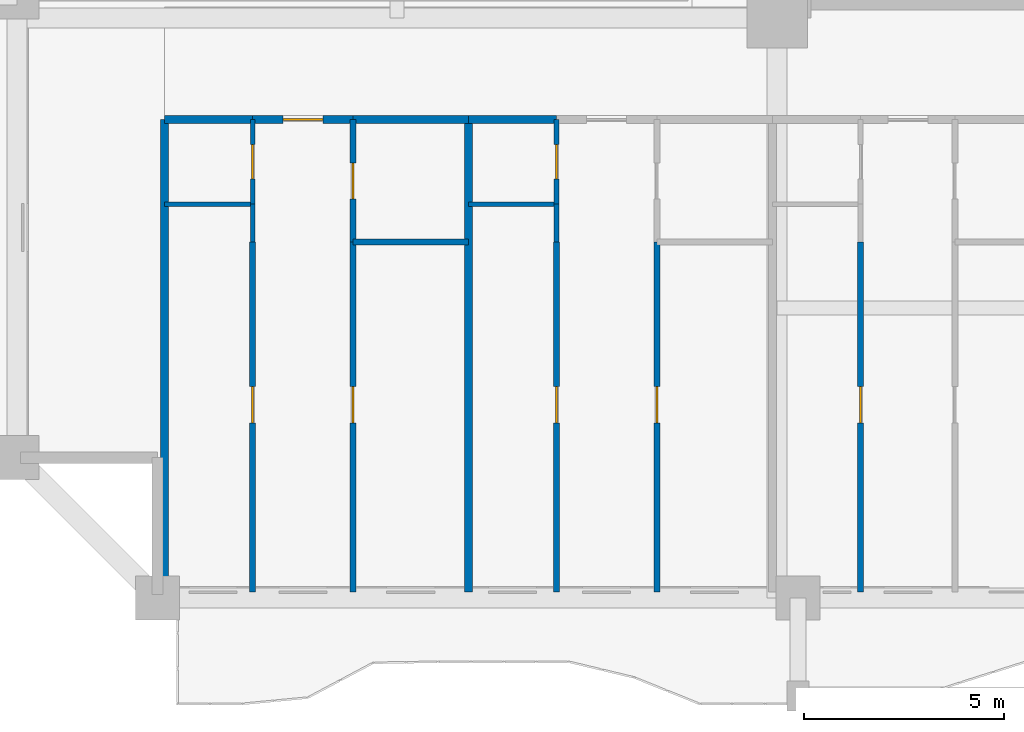
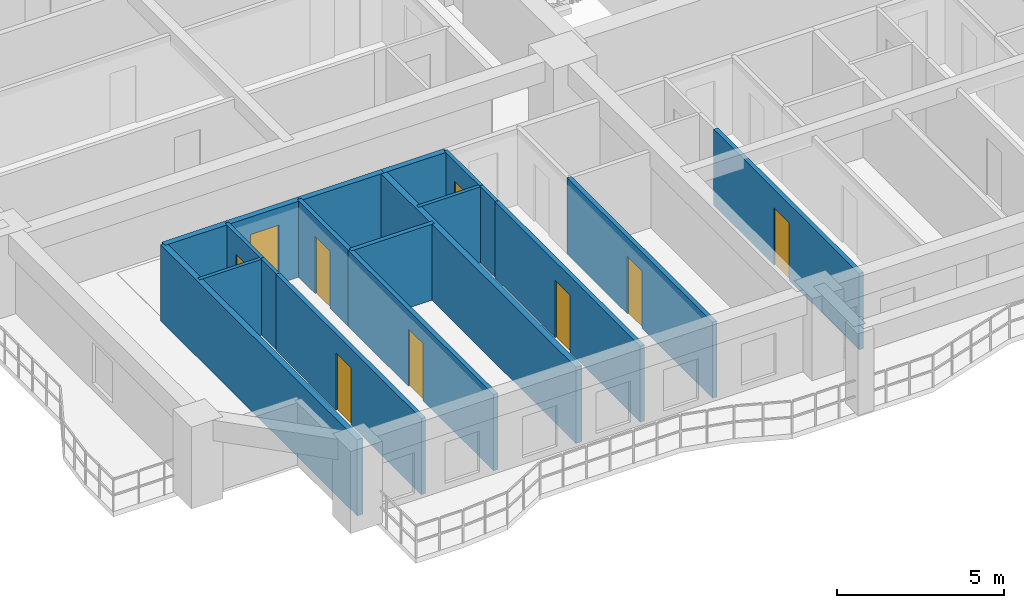
# One storey, part 2 of 17: 19 walls, 9 doors, 9 openings.
"""IFC4 building model written with IfcOpenShell, lengths in metres."""

from ifc_helpers import new_model, si_unit, direction, frame, frame_2d, origin, place, context, subcontext, project, spatial, rectangle, extrude, source, transform, mapped, material, layer, layer_set, type_object, element, fill, save


model = new_model("IFC4")

# Units and contexts
model_context = context("Model", 3, precision=1e-05, world=origin(), true_north=direction((0.0, 1.0)))
body_context = subcontext(model_context, "Body", "Model", "MODEL_VIEW")
ifc_project = project(units=[si_unit("LENGTHUNIT", "METRE"), si_unit("AREAUNIT", "SQUARE_METRE"), si_unit("VOLUMEUNIT", "CUBIC_METRE"), si_unit("PLANEANGLEUNIT", "RADIAN"), si_unit("MASSUNIT", "GRAM", prefix="KILO")], contexts=[model_context])

# Site, building, storey
site_placement = place(None, origin())
site = spatial("IfcSite", under=ifc_project, at=site_placement, CompositionType="ELEMENT")
building_placement = place(site_placement, origin())
building = spatial("IfcBuilding", under=site, at=building_placement, Name="Saelheon Loggia Tower", CompositionType="ELEMENT")
storey_placement = place(building_placement, frame((0.0, 0.0, 22.39990234375)))
storey = spatial("IfcBuildingStorey", under=building, at=storey_placement, Name="L06", CompositionType="ELEMENT", Elevation=22.39990234375)

# Wall
ifc_material_1 = material(Name="Lightweight Autoclaved Aerated Concrete Block and Acoustic Gypsum", Category="concrete")
ifc_layer_1 = layer(ifc_material_1, 0.14990234375)
ifc_layer_set_1 = layer_set([ifc_layer_1], Name="Lightweight Autoclaved Aerated Concrete Block and Acoustic Gypsum")
wall_type_1 = type_object("IfcWallType", Name="Wall_Part_150", PredefinedType="PARTITIONING", material=ifc_layer_set_1)
wall_1_placement = place(storey_placement, frame((20.385009765625, 11.8798828125, 0.0), z_axis=(0.0, 0.0, 1.0), x_axis=(1.0, 0.0, 0.0)))
element("IfcWall", 1, at=wall_1_placement, inside=storey, type_object=wall_type_1, Name="L06 S Partition V07", PredefinedType="PARTITIONING", context=body_context, shape_type="SweptSolid", body=[
    extrude(rectangle(XDim=2.8837890625, YDim=0.14990234375, at=frame_2d((1.44189453125, 0.0))), origin(), (0.0, 0.0, 1.0), 2.7900390625),
])

# Wall, opening, door
wall_2_placement = place(storey_placement, frame((17.8798828125, 11.8798828125, 0.0), z_axis=(0.0, 0.0, 1.0), x_axis=(0.0, -1.0, 0.0)))
wall_2 = element("IfcWall", 2, at=wall_2_placement, inside=storey, type_object=wall_type_1, Name="L06 S Partition U10", PredefinedType="PARTITIONING", context=body_context, shape_type="SweptSolid", body=[
    extrude(rectangle(XDim=8.72998046875, YDim=0.14990234375, at=frame_2d((4.364990234375, 0.0))), origin(), (0.0, 0.0, 1.0), 2.7900390625),
])
opening_1_placement = place(wall_2_placement, frame((3.608642578125, 0.0, 0.0)))
opening_1 = element("IfcOpeningElement", 3, at=opening_1_placement, cuts=wall_2, Name="Opening D-IN2", PredefinedType="OPENING", context=body_context, shape_type="SweptSolid", body=[
    extrude(rectangle(XDim=0.89990234375, YDim=2.10009765625, at=frame_2d((0.449951171875, 1.050048828125))), frame((0.0, 0.0869140625, 0.0), z_axis=(0.0, -1.0, 0.0), x_axis=(1.0, 0.0, 0.0)), (0.0, 0.0, 1.0), 0.173828125),
])
ifc_material_2 = material(Name="Engineered Oak Flush Door", Category="timber")
door_type_1 = type_object("IfcDoorType", Name="Door_Int_900", OperationType="NOTDEFINED", PredefinedType="DOOR", material=ifc_material_2)
shared_shape_1 = source(origin(), body_context, "Body", "SweptSolid", [
    extrude(rectangle(XDim=0.89990234375, YDim=2.10009765625, at=frame_2d((0.449951171875, 1.050048828125))), frame((0.0, 0.02490234375, 0.0), z_axis=(0.0, -1.0, 0.0), x_axis=(1.0, 0.0, 0.0)), (0.0, 0.0, 1.0), 0.050048828125),
])
door_1_placement = place(opening_1_placement, origin())
door_1 = element("IfcDoor", 4, at=door_1_placement, inside=storey, type_object=door_type_1, Name="Unit U01 Kitchen Door", OperationType="SINGLE_SWING_LEFT", OverallHeight=2.10009765625, OverallWidth=0.89990234375, PredefinedType="DOOR", context=body_context, shape_type="MappedRepresentation", body=[
    mapped(shared_shape_1, transform((0.0, 0.0, 0.0), scale=1.0)),
])
fill(opening_1, door_1)

wall_3_placement = place(storey_placement, frame((20.385009765625, 14.949951171875, 0.0), z_axis=(0.0, 0.0, 1.0), x_axis=(0.0, -1.0, 0.0)))
wall_3 = element("IfcWall", 5, at=wall_3_placement, inside=storey, type_object=wall_type_1, Name="L06 S Partition U11", PredefinedType="PARTITIONING", context=body_context, shape_type="SweptSolid", body=[
    extrude(rectangle(XDim=3.070068359375, YDim=0.14990234375, at=frame_2d((1.53515625, 0.0))), origin(), (0.0, 0.0, 1.0), 2.7900390625),
])
opening_2_placement = place(wall_3_placement, frame((1.0849609375, 0.0, 0.0)))
opening_2 = element("IfcOpeningElement", 6, at=opening_2_placement, cuts=wall_3, Name="Opening D-IN2", PredefinedType="OPENING", context=body_context, shape_type="SweptSolid", body=[
    extrude(rectangle(XDim=0.89990234375, YDim=2.10009765625, at=frame_2d((0.449951171875, 1.050048828125))), frame((0.0, 0.0869140625, 0.0), z_axis=(0.0, -1.0, 0.0), x_axis=(1.0, 0.0, 0.0)), (0.0, 0.0, 1.0), 0.173828125),
])
door_2_placement = place(opening_2_placement, origin())
door_2 = element("IfcDoor", 7, at=door_2_placement, inside=storey, type_object=door_type_1, Name="Unit U01 Dressing Closet Door", OperationType="SINGLE_SWING_RIGHT", OverallHeight=2.10009765625, OverallWidth=0.89990234375, PredefinedType="DOOR", context=body_context, shape_type="MappedRepresentation", body=[
    mapped(shared_shape_1, transform((0.0, 0.0, 0.0), scale=1.0)),
])
fill(opening_2, door_2)

wall_4_placement = place(storey_placement, frame((20.385009765625, 11.8798828125, 0.0), z_axis=(0.0, 0.0, 1.0), x_axis=(0.0, -1.0, 0.0)))
wall_4 = element("IfcWall", 8, at=wall_4_placement, inside=storey, type_object=wall_type_1, Name="L06 S Partition U12", PredefinedType="PARTITIONING", context=body_context, shape_type="SweptSolid", body=[
    extrude(rectangle(XDim=8.72998046875, YDim=0.14990234375, at=frame_2d((4.364990234375, 0.0))), origin(), (0.0, 0.0, 1.0), 2.7900390625),
])
opening_3_placement = place(wall_4_placement, frame((3.608642578125, 0.0, 0.0)))
opening_3 = element("IfcOpeningElement", 9, at=opening_3_placement, cuts=wall_4, Name="Opening D-IN2", PredefinedType="OPENING", context=body_context, shape_type="SweptSolid", body=[
    extrude(rectangle(XDim=0.89990234375, YDim=2.10009765625, at=frame_2d((0.449951171875, 1.050048828125))), frame((0.0, 0.0869140625, 0.0), z_axis=(0.0, -1.0, 0.0), x_axis=(1.0, 0.0, 0.0)), (0.0, 0.0, 1.0), 0.173828125),
])
door_3_placement = place(opening_3_placement, origin())
door_3 = element("IfcDoor", 10, at=door_3_placement, inside=storey, type_object=door_type_1, Name="Unit U01 Bedroom 1 Door", OperationType="SINGLE_SWING_LEFT", OverallHeight=2.10009765625, OverallWidth=0.89990234375, PredefinedType="DOOR", context=body_context, shape_type="MappedRepresentation", body=[
    mapped(shared_shape_1, transform((0.0, 0.0, 0.0), scale=1.0)),
])
fill(opening_3, door_3)

wall_5_placement = place(storey_placement, frame((25.46875, 11.8798828125, 0.0), z_axis=(0.0, 0.0, 1.0), x_axis=(0.0, -1.0, 0.0)))
wall_5 = element("IfcWall", 11, at=wall_5_placement, inside=storey, type_object=wall_type_1, Name="L06 S Partition U21", PredefinedType="PARTITIONING", context=body_context, shape_type="SweptSolid", body=[
    extrude(rectangle(XDim=8.72998046875, YDim=0.14990234375, at=frame_2d((4.364990234375, 0.0))), origin(), (0.0, 0.0, 1.0), 2.7900390625),
])
opening_4_placement = place(wall_5_placement, frame((3.608642578125, 0.0, 0.0)))
opening_4 = element("IfcOpeningElement", 12, at=opening_4_placement, cuts=wall_5, Name="Opening D-IN2", PredefinedType="OPENING", context=body_context, shape_type="SweptSolid", body=[
    extrude(rectangle(XDim=0.89990234375, YDim=2.10009765625, at=frame_2d((0.449951171875, 1.050048828125))), frame((0.0, 0.0869140625, 0.0), z_axis=(0.0, -1.0, 0.0), x_axis=(1.0, 0.0, 0.0)), (0.0, 0.0, 1.0), 0.173828125),
])
door_4_placement = place(opening_4_placement, origin())
door_4 = element("IfcDoor", 13, at=door_4_placement, inside=storey, type_object=door_type_1, Name="Unit U02 Kitchen Door", OperationType="SINGLE_SWING_RIGHT", OverallHeight=2.10009765625, OverallWidth=0.89990234375, PredefinedType="DOOR", context=body_context, shape_type="MappedRepresentation", body=[
    mapped(shared_shape_1, transform((0.0, 0.0, 0.0), scale=1.0)),
])
fill(opening_4, door_4)

wall_6_placement = place(storey_placement, frame((27.973876953125, 11.8798828125, 0.0), z_axis=(0.0, 0.0, 1.0), x_axis=(0.0, -1.0, 0.0)))
wall_6 = element("IfcWall", 14, at=wall_6_placement, inside=storey, type_object=wall_type_1, Name="L06 S Partition U23", PredefinedType="PARTITIONING", context=body_context, shape_type="SweptSolid", body=[
    extrude(rectangle(XDim=8.72998046875, YDim=0.14990234375, at=frame_2d((4.364990234375, 0.0))), origin(), (0.0, 0.0, 1.0), 2.7900390625),
])
opening_5_placement = place(wall_6_placement, frame((3.608642578125, 0.0, 0.0)))
opening_5 = element("IfcOpeningElement", 15, at=opening_5_placement, cuts=wall_6, Name="Opening D-IN2", PredefinedType="OPENING", context=body_context, shape_type="SweptSolid", body=[
    extrude(rectangle(XDim=0.89990234375, YDim=2.10009765625, at=frame_2d((0.449951171875, 1.050048828125))), frame((0.0, 0.0869140625, 0.0), z_axis=(0.0, -1.0, 0.0), x_axis=(1.0, 0.0, 0.0)), (0.0, 0.0, 1.0), 0.173828125),
])
door_5_placement = place(opening_5_placement, origin())
door_5 = element("IfcDoor", 16, at=door_5_placement, inside=storey, type_object=door_type_1, Name="Unit U02 Bedroom 1 Door", OperationType="SINGLE_SWING_RIGHT", OverallHeight=2.10009765625, OverallWidth=0.89990234375, PredefinedType="DOOR", context=body_context, shape_type="MappedRepresentation", body=[
    mapped(shared_shape_1, transform((0.0, 0.0, 0.0), scale=1.0)),
])
fill(opening_5, door_5)

wall_7_placement = place(storey_placement, frame((33.0576171875, 11.8798828125, 0.0), z_axis=(0.0, 0.0, 1.0), x_axis=(0.0, -1.0, 0.0)))
wall_7 = element("IfcWall", 17, at=wall_7_placement, inside=storey, type_object=wall_type_1, Name="L06 S Partition U32", PredefinedType="PARTITIONING", context=body_context, shape_type="SweptSolid", body=[
    extrude(rectangle(XDim=8.72998046875, YDim=0.14990234375, at=frame_2d((4.364990234375, 0.0))), origin(), (0.0, 0.0, 1.0), 2.7900390625),
])
opening_6_placement = place(wall_7_placement, frame((3.608642578125, 0.0, 0.0)))
opening_6 = element("IfcOpeningElement", 18, at=opening_6_placement, cuts=wall_7, Name="Opening D-IN2", PredefinedType="OPENING", context=body_context, shape_type="SweptSolid", body=[
    extrude(rectangle(XDim=0.89990234375, YDim=2.10009765625, at=frame_2d((0.449951171875, 1.050048828125))), frame((0.0, 0.0869140625, 0.0), z_axis=(0.0, -1.0, 0.0), x_axis=(1.0, 0.0, 0.0)), (0.0, 0.0, 1.0), 0.173828125),
])
door_6_placement = place(opening_6_placement, origin())
door_6 = element("IfcDoor", 19, at=door_6_placement, inside=storey, type_object=door_type_1, Name="Unit U03 Kitchen Door", OperationType="SINGLE_SWING_LEFT", OverallHeight=2.10009765625, OverallWidth=0.89990234375, PredefinedType="DOOR", context=body_context, shape_type="MappedRepresentation", body=[
    mapped(shared_shape_1, transform((0.0, 0.0, 0.0), scale=1.0)),
])
fill(opening_6, door_6)

# Walls
ifc_material_3 = material(Name="Double Acoustic Stud and Fireboard Partition", Category="gypsum")
ifc_layer_2 = layer(ifc_material_3, 0.199951171875)
ifc_layer_set_2 = layer_set([ifc_layer_2], Name="Double Acoustic Stud and Fireboard Partition")
wall_type_2 = type_object("IfcWallType", Name="Wall_Party_200", PredefinedType="PARTITIONING", material=ifc_layer_set_2)
wall_8_placement = place(storey_placement, frame((15.679931640625, 14.949951171875, 0.0), z_axis=(0.0, 0.0, 1.0), x_axis=(0.0, -1.0, 0.0)))
element("IfcWall", 20, at=wall_8_placement, inside=storey, type_object=wall_type_2, Name="L06 S Partition U01", PredefinedType="PARTITIONING", context=body_context, shape_type="SweptSolid", body=[
    extrude(rectangle(XDim=11.800048828125, YDim=0.199951171875, at=frame_2d((5.89990234375, 0.0))), origin(), (0.0, 0.0, 1.0), 2.7900390625),
])
wall_9_placement = place(storey_placement, frame((15.679931640625, 14.949951171875, 0.0), z_axis=(0.0, 0.0, 1.0), x_axis=(1.0, 0.0, 0.0)))
element("IfcWall", 21, at=wall_9_placement, inside=storey, type_object=wall_type_2, Name="L06 S Partition V03", PredefinedType="PARTITIONING", context=body_context, shape_type="SweptSolid", body=[
    extrude(rectangle(XDim=2.199951171875, YDim=0.199951171875, at=frame_2d((1.10009765625, 0.0))), origin(), (0.0, 0.0, 1.0), 2.7900390625),
])

# Wall, opening, door
wall_10_placement = place(storey_placement, frame((17.8798828125, 14.949951171875, 0.0), z_axis=(0.0, 0.0, 1.0), x_axis=(1.0, 0.0, 0.0)))
wall_10 = element("IfcWall", 22, at=wall_10_placement, inside=storey, type_object=wall_type_2, Name="L06 S Partition V04", PredefinedType="PARTITIONING", context=body_context, shape_type="SweptSolid", body=[
    extrude(rectangle(XDim=2.505126953125, YDim=0.199951171875, at=frame_2d((1.25244140625, 0.0))), origin(), (0.0, 0.0, 1.0), 2.7900390625),
])
opening_7_placement = place(wall_10_placement, frame((0.752685546875, 0.0, 0.0)))
opening_7 = element("IfcOpeningElement", 23, at=opening_7_placement, cuts=wall_10, Name="Opening D-FD1", PredefinedType="OPENING", context=body_context, shape_type="SweptSolid", body=[
    extrude(rectangle(XDim=1.0, YDim=2.14990234375, at=frame_2d((0.5, 1.074951171875))), frame((0.0, 0.112060546875, 0.0), z_axis=(0.0, -1.0, 0.0), x_axis=(1.0, 0.0, 0.0)), (0.0, 0.0, 1.0), 0.223876953125),
])
ifc_material_4 = material(Name="Fire-Rated Engineered Timber Entrance Door", Category="wood")
door_type_2 = type_object("IfcDoorType", Name="Door_Flat_FD30S", OperationType="NOTDEFINED", PredefinedType="DOOR", material=ifc_material_4)
shared_shape_2 = source(origin(), body_context, "Body", "SweptSolid", [
    extrude(rectangle(XDim=1.0, YDim=2.14990234375, at=frame_2d((0.5, 1.074951171875))), frame((0.0, 0.02490234375, 0.0), z_axis=(0.0, -1.0, 0.0), x_axis=(1.0, 0.0, 0.0)), (0.0, 0.0, 1.0), 0.050048828125),
])
door_7_placement = place(opening_7_placement, origin())
door_7 = element("IfcDoor", 24, at=door_7_placement, inside=storey, type_object=door_type_2, Name="Unit U01 Entrance Door", OperationType="SINGLE_SWING_LEFT", OverallHeight=2.14990234375, OverallWidth=1.0, PredefinedType="DOOR", context=body_context, shape_type="MappedRepresentation", body=[
    mapped(shared_shape_2, transform((0.0, 0.0, 0.0), scale=1.0)),
])
fill(opening_7, door_7)

# Walls
wall_11_placement = place(storey_placement, frame((20.385009765625, 14.949951171875, 0.0), z_axis=(0.0, 0.0, 1.0), x_axis=(1.0, 0.0, 0.0)))
element("IfcWall", 25, at=wall_11_placement, inside=storey, type_object=wall_type_2, Name="L06 S Partition V05", PredefinedType="PARTITIONING", context=body_context, shape_type="SweptSolid", body=[
    extrude(rectangle(XDim=2.8837890625, YDim=0.199951171875, at=frame_2d((1.44189453125, 0.0))), origin(), (0.0, 0.0, 1.0), 2.7900390625),
])
wall_12_placement = place(storey_placement, frame((23.268798828125, 14.949951171875, 0.0), z_axis=(0.0, 0.0, 1.0), x_axis=(0.0, -1.0, 0.0)))
element("IfcWall", 26, at=wall_12_placement, inside=storey, type_object=wall_type_2, Name="L06 S Partition U13", PredefinedType="PARTITIONING", context=body_context, shape_type="SweptSolid", body=[
    extrude(rectangle(XDim=11.800048828125, YDim=0.199951171875, at=frame_2d((5.89990234375, 0.0))), origin(), (0.0, 0.0, 1.0), 2.7900390625),
])
wall_13_placement = place(storey_placement, frame((23.268798828125, 14.949951171875, 0.0), z_axis=(0.0, 0.0, 1.0), x_axis=(1.0, 0.0, 0.0)))
element("IfcWall", 27, at=wall_13_placement, inside=storey, type_object=wall_type_2, Name="L06 S Partition V14", PredefinedType="PARTITIONING", context=body_context, shape_type="SweptSolid", body=[
    extrude(rectangle(XDim=2.199951171875, YDim=0.199951171875, at=frame_2d((1.10009765625, 0.0))), origin(), (0.0, 0.0, 1.0), 2.7900390625),
])
ifc_material_5 = material(Name="Moisture-Resistant Cement Board Partition", Category="gypsum")
ifc_layer_3 = layer(ifc_material_5, 0.1201171875)
ifc_layer_set_3 = layer_set([ifc_layer_3], Name="Moisture-Resistant Cement Board Partition")
wall_type_3 = type_object("IfcWallType", Name="Wall_WetPart_120", PredefinedType="PARTITIONING", material=ifc_layer_set_3)
wall_14_placement = place(storey_placement, frame((15.679931640625, 12.830078125, 0.0), z_axis=(0.0, 0.0, 1.0), x_axis=(1.0, 0.0, 0.0)))
element("IfcWall", 28, at=wall_14_placement, inside=storey, type_object=wall_type_3, Name="L06 S Partition V06", PredefinedType="PARTITIONING", context=body_context, shape_type="SweptSolid", body=[
    extrude(rectangle(XDim=2.199951171875, YDim=0.1201171875, at=frame_2d((1.10009765625, 0.0))), origin(), (0.0, 0.0, 1.0), 2.7900390625),
])

# Wall, opening, door
wall_15_placement = place(storey_placement, frame((17.8798828125, 14.949951171875, 0.0), z_axis=(0.0, 0.0, 1.0), x_axis=(0.0, -1.0, 0.0)))
wall_15 = element("IfcWall", 29, at=wall_15_placement, inside=storey, type_object=wall_type_3, Name="L06 S Partition U08", PredefinedType="PARTITIONING", context=body_context, shape_type="SweptSolid", body=[
    extrude(rectangle(XDim=2.119873046875, YDim=0.1201171875, at=frame_2d((1.06005859375, 0.0))), origin(), (0.0, 0.0, 1.0), 2.7900390625),
])
opening_8_placement = place(wall_15_placement, frame((0.635009765625, 0.0, 0.0)))
opening_8 = element("IfcOpeningElement", 30, at=opening_8_placement, cuts=wall_15, Name="Opening D-BT1", PredefinedType="OPENING", context=body_context, shape_type="SweptSolid", body=[
    extrude(rectangle(XDim=0.85009765625, YDim=2.050048828125, at=frame_2d((0.425048828125, 1.02490234375))), frame((0.0, 0.072021484375, 0.0), z_axis=(0.0, -1.0, 0.0), x_axis=(1.0, 0.0, 0.0)), (0.0, 0.0, 1.0), 0.14404296875),
])
ifc_material_6 = material(Name="Moisture-Resistant Laminate Timber Door", Category="wood")
door_type_3 = type_object("IfcDoorType", Name="Door_Bath_850", OperationType="NOTDEFINED", PredefinedType="DOOR", material=ifc_material_6)
shared_shape_3 = source(origin(), body_context, "Body", "SweptSolid", [
    extrude(rectangle(XDim=0.85009765625, YDim=2.050048828125, at=frame_2d((0.425048828125, 1.02490234375))), frame((0.0, 0.02490234375, 0.0), z_axis=(0.0, -1.0, 0.0), x_axis=(1.0, 0.0, 0.0)), (0.0, 0.0, 1.0), 0.050048828125),
])
door_8_placement = place(opening_8_placement, origin())
door_8 = element("IfcDoor", 31, at=door_8_placement, inside=storey, type_object=door_type_3, Name="Unit U01 Bathroom Door", OperationType="SINGLE_SWING_RIGHT", OverallHeight=2.050048828125, OverallWidth=0.85009765625, PredefinedType="DOOR", context=body_context, shape_type="MappedRepresentation", body=[
    mapped(shared_shape_3, transform((0.0, 0.0, 0.0), scale=1.0)),
])
fill(opening_8, door_8)

# Walls
wall_16_placement = place(storey_placement, frame((17.8798828125, 12.830078125, 0.0), z_axis=(0.0, 0.0, 1.0), x_axis=(0.0, -1.0, 0.0)))
element("IfcWall", 32, at=wall_16_placement, inside=storey, type_object=wall_type_3, Name="L06 S Partition U09", PredefinedType="PARTITIONING", context=body_context, shape_type="SweptSolid", body=[
    extrude(rectangle(XDim=0.9501953125, YDim=0.1201171875, at=frame_2d((0.47509765625, 0.0))), origin(), (0.0, 0.0, 1.0), 2.7900390625),
])
wall_17_placement = place(storey_placement, frame((23.268798828125, 12.830078125, 0.0), z_axis=(0.0, 0.0, 1.0), x_axis=(1.0, 0.0, 0.0)))
element("IfcWall", 33, at=wall_17_placement, inside=storey, type_object=wall_type_3, Name="L06 S Partition V17", PredefinedType="PARTITIONING", context=body_context, shape_type="SweptSolid", body=[
    extrude(rectangle(XDim=2.199951171875, YDim=0.1201171875, at=frame_2d((1.10009765625, 0.0))), origin(), (0.0, 0.0, 1.0), 2.7900390625),
])

# Wall, opening, door
wall_18_placement = place(storey_placement, frame((25.46875, 14.949951171875, 0.0), z_axis=(0.0, 0.0, 1.0), x_axis=(0.0, -1.0, 0.0)))
wall_18 = element("IfcWall", 34, at=wall_18_placement, inside=storey, type_object=wall_type_3, Name="L06 S Partition U19", PredefinedType="PARTITIONING", context=body_context, shape_type="SweptSolid", body=[
    extrude(rectangle(XDim=2.119873046875, YDim=0.1201171875, at=frame_2d((1.06005859375, 0.0))), origin(), (0.0, 0.0, 1.0), 2.7900390625),
])
opening_9_placement = place(wall_18_placement, frame((0.635009765625, 0.0, 0.0)))
opening_9 = element("IfcOpeningElement", 35, at=opening_9_placement, cuts=wall_18, Name="Opening D-BT1", PredefinedType="OPENING", context=body_context, shape_type="SweptSolid", body=[
    extrude(rectangle(XDim=0.85009765625, YDim=2.050048828125, at=frame_2d((0.425048828125, 1.02490234375))), frame((0.0, 0.072021484375, 0.0), z_axis=(0.0, -1.0, 0.0), x_axis=(1.0, 0.0, 0.0)), (0.0, 0.0, 1.0), 0.14404296875),
])
door_9_placement = place(opening_9_placement, origin())
door_9 = element("IfcDoor", 36, at=door_9_placement, inside=storey, type_object=door_type_3, Name="Unit U02 Bathroom Door", OperationType="SINGLE_SWING_LEFT", OverallHeight=2.050048828125, OverallWidth=0.85009765625, PredefinedType="DOOR", context=body_context, shape_type="MappedRepresentation", body=[
    mapped(shared_shape_3, transform((0.0, 0.0, 0.0), scale=1.0)),
])
fill(opening_9, door_9)

# Wall
wall_19_placement = place(storey_placement, frame((25.46875, 12.830078125, 0.0), z_axis=(0.0, 0.0, 1.0), x_axis=(0.0, -1.0, 0.0)))
element("IfcWall", 37, at=wall_19_placement, inside=storey, type_object=wall_type_3, Name="L06 S Partition U20", PredefinedType="PARTITIONING", context=body_context, shape_type="SweptSolid", body=[
    extrude(rectangle(XDim=0.9501953125, YDim=0.1201171875, at=frame_2d((0.47509765625, 0.0))), origin(), (0.0, 0.0, 1.0), 2.7900390625),
])

save(model, "model.ifc")
